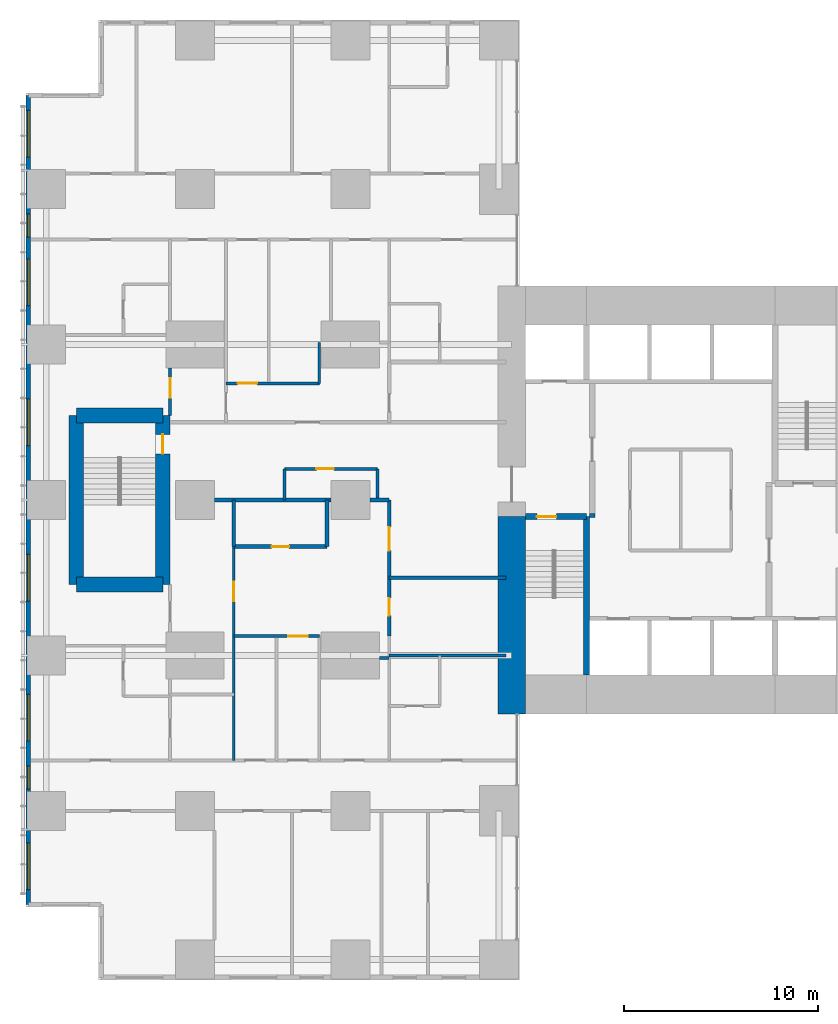
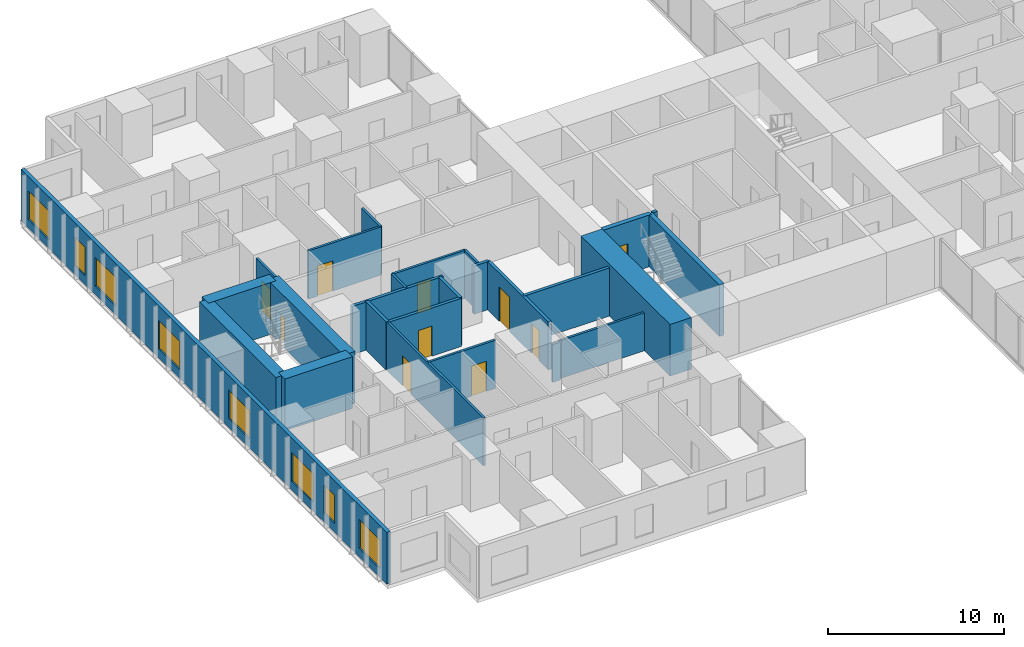
# One storey, part 13 of 20: 26 walls, 10 doors, 8 windows, 18 openings.
"""IFC4 building model written with IfcOpenShell, lengths in metres."""

from ifc_helpers import new_model, si_unit, direction, frame, frame_2d, origin, place, context, subcontext, project, spatial, rectangle, extrude, material, layer, layer_set, type_object, element, fill, save


model = new_model("IFC4")

# Units and contexts
model_context = context("Model", 3, precision=1e-05, world=origin(), true_north=direction((0.0, 1.0)))
body_context = subcontext(model_context, "Body", "Model", "MODEL_VIEW")
ifc_project = project(units=[si_unit("LENGTHUNIT", "METRE"), si_unit("AREAUNIT", "SQUARE_METRE"), si_unit("VOLUMEUNIT", "CUBIC_METRE"), si_unit("PLANEANGLEUNIT", "RADIAN"), si_unit("MASSUNIT", "GRAM", prefix="KILO")], contexts=[model_context])

# Site, building, storey
site_placement = place(None, origin())
site = spatial("IfcSite", under=ifc_project, at=site_placement, CompositionType="ELEMENT")
building_placement = place(site_placement, origin())
building = spatial("IfcBuilding", under=site, at=building_placement, Name="Cleftline Residences", CompositionType="ELEMENT")
storey_placement = place(building_placement, frame((0.0, 0.0, 54.800048828125)))
storey = spatial("IfcBuildingStorey", under=building, at=storey_placement, Name="L13", CompositionType="ELEMENT", Elevation=54.800048828125)

# Walls
ifc_material_1 = material(Name="Concrete B70", Category="concrete")
ifc_layer_1 = layer(ifc_material_1, 1.39990234375)
ifc_layer_set_1 = layer_set([ifc_layer_1], Name="CORE WALL 1400")
wall_type_1 = type_object("IfcWallType", Name="CORE WALL 1400", PredefinedType="SHEAR", material=ifc_layer_set_1)
wall_1_placement = place(storey_placement, frame((24.300048828125, 13.0, 0.0), z_axis=(0.0, 0.0, 1.0), x_axis=(0.0, 1.0, 0.0)))
element("IfcWall", 1, at=wall_1_placement, inside=storey, type_object=wall_type_1, Name="Core wall W0", PredefinedType="SHEAR", context=body_context, shape_type="SweptSolid", body=[
    extrude(rectangle(XDim=10.14990234375, YDim=1.39990234375, at=frame_2d((5.074951171875, 0.0))), origin(), (0.0, 0.0, 1.0), 3.599853515625),
])
ifc_material_2 = material(Name="Concrete B70", Category="concrete")
ifc_layer_2 = layer(ifc_material_2, 0.300048828125)
ifc_layer_set_2 = layer_set([ifc_layer_2], Name="CORE WALL 300")
wall_type_2 = type_object("IfcWallType", Name="CORE WALL 300", PredefinedType="SHEAR", material=ifc_layer_set_2)
wall_2_placement = place(storey_placement, frame((28.14990234375, 15.0, 0.0), z_axis=(0.0, 0.0, 1.0), x_axis=(0.0, 1.0, 0.0)))
element("IfcWall", 2, at=wall_2_placement, inside=storey, type_object=wall_type_2, Name="Core wall SA-E", PredefinedType="SHEAR", context=body_context, shape_type="SweptSolid", body=[
    extrude(rectangle(XDim=8.14990234375, YDim=0.300048828125, at=frame_2d((4.074951171875, 0.0))), origin(), (0.0, 0.0, 1.0), 3.599853515625),
])

# Wall, opening, door
wall_3_placement = place(storey_placement, frame((25.0, 23.14990234375, 0.0), z_axis=(0.0, 0.0, 1.0), x_axis=(1.0, 0.0, 0.0)))
wall_3 = element("IfcWall", 3, at=wall_3_placement, inside=storey, type_object=wall_type_2, Name="Core wall SA-N", PredefinedType="SHEAR", context=body_context, shape_type="SweptSolid", body=[
    extrude(rectangle(XDim=3.14990234375, YDim=0.300048828125, at=frame_2d((1.574951171875, 0.0))), origin(), (0.0, 0.0, 1.0), 3.599853515625),
])
opening_1_placement = place(wall_3_placement, frame((0.60009765625, 0.0, 0.0)))
opening_1 = element("IfcOpeningElement", 4, at=opening_1_placement, cuts=wall_3, Name="Opening D5", PredefinedType="OPENING", context=body_context, shape_type="SweptSolid", body=[
    extrude(rectangle(XDim=1.0, YDim=2.10009765625, at=frame_2d((0.5, 1.050048828125))), frame((0.0, 0.159912109375, 0.0), z_axis=(0.0, -1.0, 0.0), x_axis=(1.0, 0.0, 0.0)), (0.0, 0.0, 1.0), 0.320068359375),
])
ifc_material_3 = material(Name="Steel", Category="steel")
door_type_1 = type_object("IfcDoorType", Name="STAIR DOOR 1000X2100", OperationType="SINGLE_SWING_LEFT", PredefinedType="DOOR", material=ifc_material_3)
door_1_placement = place(opening_1_placement, origin())
door_1 = element("IfcDoor", 5, at=door_1_placement, inside=storey, type_object=door_type_1, Name="Stair A door", OperationType="SINGLE_SWING_RIGHT", OverallHeight=2.10009765625, OverallWidth=1.0, PredefinedType="DOOR", context=body_context, shape_type="SweptSolid", body=[
    extrude(rectangle(XDim=1.0, YDim=2.10009765625, at=frame_2d((0.5, 1.050048828125))), frame((0.0, 0.02490234375, 0.0), z_axis=(0.0, -1.0, 0.0), x_axis=(1.0, 0.0, 0.0)), (0.0, 0.0, 1.0), 0.050048828125),
])
fill(opening_1, door_1)

# Wall, openings, windows
ifc_material_4 = material(Name="Rendered reinforced concrete blockwork", Category="masonry")
ifc_layer_3 = layer(ifc_material_4, 0.25)
ifc_layer_set_3 = layer_set([ifc_layer_3], Name="EXTERNAL WALL 250")
wall_type_3 = type_object("IfcWallType", Name="EXTERNAL WALL 250", PredefinedType="SOLIDWALL", material=ifc_layer_set_3)
wall_4_placement = place(storey_placement, frame((-0.574951171875, 44.824951171875, 0.0), z_axis=(0.0, 0.0, 1.0), x_axis=(0.0, -1.0, 0.0)))
wall_4 = element("IfcWall", 6, at=wall_4_placement, inside=storey, type_object=wall_type_3, Name="External wall", PredefinedType="SOLIDWALL", context=body_context, shape_type="SweptSolid", body=[
    extrude(rectangle(XDim=41.64990234375, YDim=0.25, at=frame_2d((20.824951171875, 0.0))), origin(), (0.0, 0.0, 1.0), 3.599853515625),
])
opening_2_placement = place(wall_4_placement, frame((0.77490234375, 0.0, 0.60009765625)))
opening_2 = element("IfcOpeningElement", 7, at=opening_2_placement, cuts=wall_4, Name="Opening W6", PredefinedType="OPENING", context=body_context, shape_type="SweptSolid", body=[
    extrude(rectangle(XDim=2.39990234375, YDim=2.0, at=frame_2d((1.199951171875, 1.0))), frame((0.0, 0.135009765625, 0.0), z_axis=(0.0, -1.0, 0.0), x_axis=(1.0, 0.0, 0.0)), (0.0, 0.0, 1.0), 0.27001953125),
])
opening_3_placement = place(wall_4_placement, frame((6.10009765625, 0.0, 0.60009765625)))
opening_3 = element("IfcOpeningElement", 8, at=opening_3_placement, cuts=wall_4, Name="Opening W8", PredefinedType="OPENING", context=body_context, shape_type="SweptSolid", body=[
    extrude(rectangle(XDim=1.199951171875, YDim=2.0, at=frame_2d((0.60009765625, 1.0))), frame((0.0, 0.135009765625, 0.0), z_axis=(0.0, -1.0, 0.0), x_axis=(1.0, 0.0, 0.0)), (0.0, 0.0, 1.0), 0.27001953125),
])
opening_4_placement = place(wall_4_placement, frame((8.425048828125, 0.0, 0.60009765625)))
opening_4 = element("IfcOpeningElement", 9, at=opening_4_placement, cuts=wall_4, Name="Opening W6", PredefinedType="OPENING", context=body_context, shape_type="SweptSolid", body=[
    extrude(rectangle(XDim=2.39990234375, YDim=2.0, at=frame_2d((1.199951171875, 1.0))), frame((0.0, 0.135009765625, 0.0), z_axis=(0.0, -1.0, 0.0), x_axis=(1.0, 0.0, 0.0)), (0.0, 0.0, 1.0), 0.27001953125),
])
opening_5_placement = place(wall_4_placement, frame((15.625, 0.0, 0.60009765625)))
opening_5 = element("IfcOpeningElement", 10, at=opening_5_placement, cuts=wall_4, Name="Opening W6", PredefinedType="OPENING", context=body_context, shape_type="SweptSolid", body=[
    extrude(rectangle(XDim=2.39990234375, YDim=2.0, at=frame_2d((1.199951171875, 1.0))), frame((0.0, 0.135009765625, 0.0), z_axis=(0.0, -1.0, 0.0), x_axis=(1.0, 0.0, 0.0)), (0.0, 0.0, 1.0), 0.27001953125),
])
opening_6_placement = place(wall_4_placement, frame((23.625, 0.0, 0.60009765625)))
opening_6 = element("IfcOpeningElement", 11, at=opening_6_placement, cuts=wall_4, Name="Opening W6", PredefinedType="OPENING", context=body_context, shape_type="SweptSolid", body=[
    extrude(rectangle(XDim=2.39990234375, YDim=2.0, at=frame_2d((1.199951171875, 1.0))), frame((0.0, 0.135009765625, 0.0), z_axis=(0.0, -1.0, 0.0), x_axis=(1.0, 0.0, 0.0)), (0.0, 0.0, 1.0), 0.27001953125),
])
opening_7_placement = place(wall_4_placement, frame((30.824951171875, 0.0, 0.60009765625)))
opening_7 = element("IfcOpeningElement", 12, at=opening_7_placement, cuts=wall_4, Name="Opening W6", PredefinedType="OPENING", context=body_context, shape_type="SweptSolid", body=[
    extrude(rectangle(XDim=2.39990234375, YDim=2.0, at=frame_2d((1.199951171875, 1.0))), frame((0.0, 0.135009765625, 0.0), z_axis=(0.0, -1.0, 0.0), x_axis=(1.0, 0.0, 0.0)), (0.0, 0.0, 1.0), 0.27001953125),
])
opening_8_placement = place(wall_4_placement, frame((34.5, 0.0, 0.60009765625)))
opening_8 = element("IfcOpeningElement", 13, at=opening_8_placement, cuts=wall_4, Name="Opening W8", PredefinedType="OPENING", context=body_context, shape_type="SweptSolid", body=[
    extrude(rectangle(XDim=1.199951171875, YDim=2.0, at=frame_2d((0.60009765625, 1.0))), frame((0.0, 0.135009765625, 0.0), z_axis=(0.0, -1.0, 0.0), x_axis=(1.0, 0.0, 0.0)), (0.0, 0.0, 1.0), 0.27001953125),
])
opening_9_placement = place(wall_4_placement, frame((38.47509765625, 0.0, 0.60009765625)))
opening_9 = element("IfcOpeningElement", 14, at=opening_9_placement, cuts=wall_4, Name="Opening W6", PredefinedType="OPENING", context=body_context, shape_type="SweptSolid", body=[
    extrude(rectangle(XDim=2.39990234375, YDim=2.0, at=frame_2d((1.199951171875, 1.0))), frame((0.0, 0.135009765625, 0.0), z_axis=(0.0, -1.0, 0.0), x_axis=(1.0, 0.0, 0.0)), (0.0, 0.0, 1.0), 0.27001953125),
])
ifc_material_5 = material(Name="Aluminium frame, clear double glazing", Category="aluminium")
window_type_1 = type_object("IfcWindowType", Name="WINDOW 1200X2000", PartitioningType="DOUBLE_PANEL_VERTICAL", PredefinedType="WINDOW", material=ifc_material_5)
window_1_placement = place(opening_3_placement, origin())
window_1 = element("IfcWindow", 15, at=window_1_placement, inside=storey, type_object=window_type_1, Name="Window", OverallHeight=2.0, OverallWidth=1.199951171875, PartitioningType="SINGLE_PANEL", PredefinedType="WINDOW", context=body_context, shape_type="SweptSolid", body=[
    extrude(rectangle(XDim=1.199951171875, YDim=2.0, at=frame_2d((0.60009765625, 1.0))), frame((0.0, 0.030029296875, 0.0), z_axis=(0.0, -1.0, 0.0), x_axis=(1.0, 0.0, 0.0)), (0.0, 0.0, 1.0), 0.06005859375),
])
fill(opening_3, window_1)
window_2_placement = place(opening_8_placement, origin())
window_2 = element("IfcWindow", 16, at=window_2_placement, inside=storey, type_object=window_type_1, Name="Window", OverallHeight=2.0, OverallWidth=1.199951171875, PartitioningType="SINGLE_PANEL", PredefinedType="WINDOW", context=body_context, shape_type="SweptSolid", body=[
    extrude(rectangle(XDim=1.199951171875, YDim=2.0, at=frame_2d((0.60009765625, 1.0))), frame((0.0, 0.030029296875, 0.0), z_axis=(0.0, -1.0, 0.0), x_axis=(1.0, 0.0, 0.0)), (0.0, 0.0, 1.0), 0.06005859375),
])
fill(opening_8, window_2)
ifc_material_6 = material(Name="Aluminium frame, clear double glazing", Category="aluminium")
window_type_2 = type_object("IfcWindowType", Name="WINDOW 2400X2000", PartitioningType="DOUBLE_PANEL_VERTICAL", PredefinedType="WINDOW", material=ifc_material_6)
window_3_placement = place(opening_2_placement, origin())
window_3 = element("IfcWindow", 17, at=window_3_placement, inside=storey, type_object=window_type_2, Name="Window", OverallHeight=2.0, OverallWidth=2.39990234375, PartitioningType="SINGLE_PANEL", PredefinedType="WINDOW", context=body_context, shape_type="SweptSolid", body=[
    extrude(rectangle(XDim=2.39990234375, YDim=2.0, at=frame_2d((1.199951171875, 1.0))), frame((0.0, 0.030029296875, 0.0), z_axis=(0.0, -1.0, 0.0), x_axis=(1.0, 0.0, 0.0)), (0.0, 0.0, 1.0), 0.06005859375),
])
fill(opening_2, window_3)
window_4_placement = place(opening_4_placement, origin())
window_4 = element("IfcWindow", 18, at=window_4_placement, inside=storey, type_object=window_type_2, Name="Window", OverallHeight=2.0, OverallWidth=2.39990234375, PartitioningType="SINGLE_PANEL", PredefinedType="WINDOW", context=body_context, shape_type="SweptSolid", body=[
    extrude(rectangle(XDim=2.39990234375, YDim=2.0, at=frame_2d((1.199951171875, 1.0))), frame((0.0, 0.030029296875, 0.0), z_axis=(0.0, -1.0, 0.0), x_axis=(1.0, 0.0, 0.0)), (0.0, 0.0, 1.0), 0.06005859375),
])
fill(opening_4, window_4)
window_5_placement = place(opening_5_placement, origin())
window_5 = element("IfcWindow", 19, at=window_5_placement, inside=storey, type_object=window_type_2, Name="Window", OverallHeight=2.0, OverallWidth=2.39990234375, PartitioningType="SINGLE_PANEL", PredefinedType="WINDOW", context=body_context, shape_type="SweptSolid", body=[
    extrude(rectangle(XDim=2.39990234375, YDim=2.0, at=frame_2d((1.199951171875, 1.0))), frame((0.0, 0.030029296875, 0.0), z_axis=(0.0, -1.0, 0.0), x_axis=(1.0, 0.0, 0.0)), (0.0, 0.0, 1.0), 0.06005859375),
])
fill(opening_5, window_5)
window_6_placement = place(opening_6_placement, origin())
window_6 = element("IfcWindow", 20, at=window_6_placement, inside=storey, type_object=window_type_2, Name="Window", OverallHeight=2.0, OverallWidth=2.39990234375, PartitioningType="SINGLE_PANEL", PredefinedType="WINDOW", context=body_context, shape_type="SweptSolid", body=[
    extrude(rectangle(XDim=2.39990234375, YDim=2.0, at=frame_2d((1.199951171875, 1.0))), frame((0.0, 0.030029296875, 0.0), z_axis=(0.0, -1.0, 0.0), x_axis=(1.0, 0.0, 0.0)), (0.0, 0.0, 1.0), 0.06005859375),
])
fill(opening_6, window_6)
window_7_placement = place(opening_7_placement, origin())
window_7 = element("IfcWindow", 21, at=window_7_placement, inside=storey, type_object=window_type_2, Name="Window", OverallHeight=2.0, OverallWidth=2.39990234375, PartitioningType="SINGLE_PANEL", PredefinedType="WINDOW", context=body_context, shape_type="SweptSolid", body=[
    extrude(rectangle(XDim=2.39990234375, YDim=2.0, at=frame_2d((1.199951171875, 1.0))), frame((0.0, 0.030029296875, 0.0), z_axis=(0.0, -1.0, 0.0), x_axis=(1.0, 0.0, 0.0)), (0.0, 0.0, 1.0), 0.06005859375),
])
fill(opening_7, window_7)
window_8_placement = place(opening_9_placement, origin())
window_8 = element("IfcWindow", 22, at=window_8_placement, inside=storey, type_object=window_type_2, Name="Window", OverallHeight=2.0, OverallWidth=2.39990234375, PartitioningType="SINGLE_PANEL", PredefinedType="WINDOW", context=body_context, shape_type="SweptSolid", body=[
    extrude(rectangle(XDim=2.39990234375, YDim=2.0, at=frame_2d((1.199951171875, 1.0))), frame((0.0, 0.030029296875, 0.0), z_axis=(0.0, -1.0, 0.0), x_axis=(1.0, 0.0, 0.0)), (0.0, 0.0, 1.0), 0.06005859375),
])
fill(opening_9, window_8)

# Wall
ifc_material_7 = material(Name="Concrete blockwork, fire rated", Category="masonry")
ifc_layer_4 = layer(ifc_material_7, 0.199951171875)
ifc_layer_set_4 = layer_set([ifc_layer_4], Name="FIRE WALL 200")
wall_type_4 = type_object("IfcWallType", Name="FIRE WALL 200", PredefinedType="PARTITIONING", material=ifc_layer_set_4)
wall_5_placement = place(storey_placement, frame((18.0, 20.0, 0.0), z_axis=(0.0, 0.0, 1.0), x_axis=(1.0, 0.0, 0.0)))
element("IfcWall", 23, at=wall_5_placement, inside=storey, type_object=wall_type_4, Name="Fire separating wall", PredefinedType="PARTITIONING", context=body_context, shape_type="SweptSolid", body=[
    extrude(rectangle(XDim=6.0, YDim=0.199951171875, at=frame_2d((3.0, 0.0))), origin(), (0.0, 0.0, 1.0), 3.349853515625),
])

# Wall, opening, door
wall_6_placement = place(storey_placement, frame((10.0, 21.60009765625, 0.0), z_axis=(0.0, 0.0, 1.0), x_axis=(1.0, 0.0, 0.0)))
wall_6 = element("IfcWall", 24, at=wall_6_placement, inside=storey, type_object=wall_type_4, Name="Fire separating wall", PredefinedType="PARTITIONING", context=body_context, shape_type="SweptSolid", body=[
    extrude(rectangle(XDim=4.800048828125, YDim=0.199951171875, at=frame_2d((2.39990234375, 0.0))), origin(), (0.0, 0.0, 1.0), 3.349853515625),
])
opening_10_placement = place(wall_6_placement, frame((1.949951171875, 0.0, 0.0)))
opening_10 = element("IfcOpeningElement", 25, at=opening_10_placement, cuts=wall_6, Name="Opening D1F30", PredefinedType="OPENING", context=body_context, shape_type="SweptSolid", body=[
    extrude(rectangle(XDim=0.89990234375, YDim=2.10009765625, at=frame_2d((0.449951171875, 1.050048828125))), frame((0.0, 0.10986328125, 0.0), z_axis=(0.0, -1.0, 0.0), x_axis=(1.0, 0.0, 0.0)), (0.0, 0.0, 1.0), 0.219970703125),
])
ifc_material_8 = material(Name="Timber veneer on solid core", Category="wood")
door_type_2 = type_object("IfcDoorType", Name="DOOR 900X2100 EI 30", OperationType="SINGLE_SWING_LEFT", PredefinedType="DOOR", material=ifc_material_8)
door_2_placement = place(opening_10_placement, origin())
door_2 = element("IfcDoor", 26, at=door_2_placement, inside=storey, type_object=door_type_2, Name="Door to cloakroom wc", OperationType="SINGLE_SWING_LEFT", OverallHeight=2.10009765625, OverallWidth=0.89990234375, PredefinedType="DOOR", context=body_context, shape_type="SweptSolid", body=[
    extrude(rectangle(XDim=0.89990234375, YDim=2.10009765625, at=frame_2d((0.449951171875, 1.050048828125))), frame((0.0, 0.02490234375, 0.0), z_axis=(0.0, -1.0, 0.0), x_axis=(1.0, 0.0, 0.0)), (0.0, 0.0, 1.0), 0.050048828125),
])
fill(opening_10, door_2)

# Walls
wall_7_placement = place(storey_placement, frame((9.0, 24.0, 0.0), z_axis=(0.0, 0.0, 1.0), x_axis=(1.0, 0.0, 0.0)))
element("IfcWall", 27, at=wall_7_placement, inside=storey, type_object=wall_type_4, Name="Fire separating wall", PredefinedType="PARTITIONING", context=body_context, shape_type="SweptSolid", body=[
    extrude(rectangle(XDim=6.0, YDim=0.199951171875, at=frame_2d((3.0, 0.0))), origin(), (0.0, 0.0, 1.0), 3.349853515625),
])
wall_8_placement = place(storey_placement, frame((17.0, 24.0, 0.0), z_axis=(0.0, 0.0, 1.0), x_axis=(1.0, 0.0, 0.0)))
element("IfcWall", 28, at=wall_8_placement, inside=storey, type_object=wall_type_4, Name="Fire separating wall", PredefinedType="PARTITIONING", context=body_context, shape_type="SweptSolid", body=[
    extrude(rectangle(XDim=1.0, YDim=0.199951171875, at=frame_2d((0.5, 0.0))), origin(), (0.0, 0.0, 1.0), 3.349853515625),
])
for number, where, z_axis, x_axis, name in (
    (29, (10.0, 21.60009765625, 0.0), (0.0, 0.0, 1.0), (0.0, 1.0, 0.0), "Fire separating wall"),
    (30, (14.800048828125, 21.60009765625, 0.0), (0.0, 0.0, 1.0), (0.0, 1.0, 0.0), "Fire separating wall"),
):
    element("IfcWall", number, at=place(storey_placement, frame(where, z_axis=z_axis, x_axis=x_axis)), inside=storey, type_object=wall_type_4, Name=name, PredefinedType="PARTITIONING", context=body_context, shape_type="SweptSolid", body=[
        extrude(rectangle(XDim=2.39990234375, YDim=0.199951171875, at=frame_2d((1.199951171875, 0.0))), origin(), (0.0, 0.0, 1.0), 3.349853515625),
    ])

# Wall, openings, doors
wall_9_placement = place(storey_placement, frame((18.0, 17.0, 0.0), z_axis=(0.0, 0.0, 1.0), x_axis=(0.0, 1.0, 0.0)))
wall_9 = element("IfcWall", 31, at=wall_9_placement, inside=storey, type_object=wall_type_4, Name="Fire separating wall", PredefinedType="PARTITIONING", context=body_context, shape_type="SweptSolid", body=[
    extrude(rectangle(XDim=7.0, YDim=0.199951171875, at=frame_2d((3.5, 0.0))), origin(), (0.0, 0.0, 1.0), 3.349853515625),
])
opening_11_placement = place(wall_9_placement, frame((4.39990234375, 0.0, 0.0)))
opening_11 = element("IfcOpeningElement", 32, at=opening_11_placement, cuts=wall_9, Name="Opening D4", PredefinedType="OPENING", context=body_context, shape_type="SweptSolid", body=[
    extrude(rectangle(XDim=1.199951171875, YDim=2.39990234375, at=frame_2d((0.60009765625, 1.199951171875))), frame((0.0, 0.10986328125, 0.0), z_axis=(0.0, -1.0, 0.0), x_axis=(1.0, 0.0, 0.0)), (0.0, 0.0, 1.0), 0.219970703125),
])
opening_12_placement = place(wall_9_placement, frame((1.050048828125, 0.0, 0.0)))
opening_12 = element("IfcOpeningElement", 33, at=opening_12_placement, cuts=wall_9, Name="Opening D1F30", PredefinedType="OPENING", context=body_context, shape_type="SweptSolid", body=[
    extrude(rectangle(XDim=0.89990234375, YDim=2.10009765625, at=frame_2d((0.449951171875, 1.050048828125))), frame((0.0, 0.10986328125, 0.0), z_axis=(0.0, -1.0, 0.0), x_axis=(1.0, 0.0, 0.0)), (0.0, 0.0, 1.0), 0.219970703125),
])
ifc_material_9 = material(Name="Timber veneer on solid core", Category="wood")
door_type_3 = type_object("IfcDoorType", Name="APARTMENT ENTRANCE DOOR 1200X2400", OperationType="SINGLE_SWING_RIGHT", PredefinedType="DOOR", material=ifc_material_9)
door_3_placement = place(opening_11_placement, origin())
door_3 = element("IfcDoor", 34, at=door_3_placement, inside=storey, type_object=door_type_3, Name="Door to residence entrance foyer", OperationType="SINGLE_SWING_LEFT", OverallHeight=2.39990234375, OverallWidth=1.199951171875, PredefinedType="DOOR", context=body_context, shape_type="SweptSolid", body=[
    extrude(rectangle(XDim=1.199951171875, YDim=2.39990234375, at=frame_2d((0.60009765625, 1.199951171875))), frame((0.0, 0.02490234375, 0.0), z_axis=(0.0, -1.0, 0.0), x_axis=(1.0, 0.0, 0.0)), (0.0, 0.0, 1.0), 0.050048828125),
])
fill(opening_11, door_3)
door_4_placement = place(opening_12_placement, origin())
door_4 = element("IfcDoor", 35, at=door_4_placement, inside=storey, type_object=door_type_2, Name="Door to utility room", OperationType="SINGLE_SWING_RIGHT", OverallHeight=2.10009765625, OverallWidth=0.89990234375, PredefinedType="DOOR", context=body_context, shape_type="SweptSolid", body=[
    extrude(rectangle(XDim=0.89990234375, YDim=2.10009765625, at=frame_2d((0.449951171875, 1.050048828125))), frame((0.0, 0.02490234375, 0.0), z_axis=(0.0, -1.0, 0.0), x_axis=(1.0, 0.0, 0.0)), (0.0, 0.0, 1.0), 0.050048828125),
])
fill(opening_12, door_4)

# Walls
wall_10_placement = place(storey_placement, frame((28.300048828125, 23.199951171875, 0.0), z_axis=(0.0, 0.0, 1.0), x_axis=(1.0, 0.0, 0.0)))
element("IfcWall", 36, at=wall_10_placement, inside=storey, type_object=wall_type_4, Name="Fire separating wall", PredefinedType="PARTITIONING", context=body_context, shape_type="SweptSolid", body=[
    extrude(rectangle(XDim=0.300048828125, YDim=0.199951171875, at=frame_2d((0.14990234375, 0.0))), origin(), (0.0, 0.0, 1.0), 3.599853515625),
])
ifc_material_10 = material(Name="Gypsum board on steel studs", Category="steel")
ifc_layer_5 = layer(ifc_material_10, 0.14990234375)
ifc_layer_set_5 = layer_set([ifc_layer_5], Name="PARTITION 150")
wall_type_5 = type_object("IfcWallType", Name="PARTITION 150", PredefinedType="PARTITIONING", material=ifc_layer_set_5)
wall_11_placement = place(storey_placement, frame((17.5, 15.875, 0.0), z_axis=(0.0, 0.0, 1.0), x_axis=(1.0, 0.0, 0.0)))
element("IfcWall", 37, at=wall_11_placement, inside=storey, type_object=wall_type_5, Name="Partition", PredefinedType="PARTITIONING", context=body_context, shape_type="SweptSolid", body=[
    extrude(rectangle(XDim=0.5, YDim=0.14990234375, at=frame_2d((0.25, 0.0))), origin(), (0.0, 0.0, 1.0), 2.634033203125),
])
wall_12_placement = place(storey_placement, frame((18.0, 16.0, 0.0), z_axis=(0.0, 0.0, 1.0), x_axis=(1.0, 0.0, 0.0)))
element("IfcWall", 38, at=wall_12_placement, inside=storey, type_object=wall_type_5, Name="Partition", PredefinedType="PARTITIONING", context=body_context, shape_type="SweptSolid", body=[
    extrude(rectangle(XDim=6.0, YDim=0.14990234375, at=frame_2d((3.0, 0.0))), origin(), (0.0, 0.0, 1.0), 2.634033203125),
])

# Wall, opening, door
wall_13_placement = place(storey_placement, frame((10.0, 17.0, 0.0), z_axis=(0.0, 0.0, 1.0), x_axis=(1.0, 0.0, 0.0)))
wall_13 = element("IfcWall", 39, at=wall_13_placement, inside=storey, type_object=wall_type_5, Name="Partition", PredefinedType="PARTITIONING", context=body_context, shape_type="SweptSolid", body=[
    extrude(rectangle(XDim=4.39990234375, YDim=0.14990234375, at=frame_2d((2.199951171875, 0.0))), origin(), (0.0, 0.0, 1.0), 3.349853515625),
])
opening_13_placement = place(wall_13_placement, frame((2.800048828125, 0.0, 0.0)))
opening_13 = element("IfcOpeningElement", 40, at=opening_13_placement, cuts=wall_13, Name="Opening D2", PredefinedType="OPENING", context=body_context, shape_type="SweptSolid", body=[
    extrude(rectangle(XDim=1.0, YDim=2.10009765625, at=frame_2d((0.5, 1.050048828125))), frame((0.0, 0.0849609375, 0.0), z_axis=(0.0, -1.0, 0.0), x_axis=(1.0, 0.0, 0.0)), (0.0, 0.0, 1.0), 0.169921875),
])
ifc_material_11 = material(Name="Timber veneer on solid core", Category="wood")
door_type_4 = type_object("IfcDoorType", Name="DOOR 1000X2100", OperationType="SINGLE_SWING_LEFT", PredefinedType="DOOR", material=ifc_material_11)
door_5_placement = place(opening_13_placement, origin())
door_5 = element("IfcDoor", 41, at=door_5_placement, inside=storey, type_object=door_type_4, Name="Door to residence passage", OperationType="SINGLE_SWING_LEFT", OverallHeight=2.10009765625, OverallWidth=1.0, PredefinedType="DOOR", context=body_context, shape_type="SweptSolid", body=[
    extrude(rectangle(XDim=1.0, YDim=2.10009765625, at=frame_2d((0.5, 1.050048828125))), frame((0.0, 0.02490234375, 0.0), z_axis=(0.0, -1.0, 0.0), x_axis=(1.0, 0.0, 0.0)), (0.0, 0.0, 1.0), 0.050048828125),
])
fill(opening_13, door_5)

wall_14_placement = place(storey_placement, frame((12.60009765625, 25.60009765625, 0.0), z_axis=(0.0, 0.0, 1.0), x_axis=(1.0, 0.0, 0.0)))
wall_14 = element("IfcWall", 42, at=wall_14_placement, inside=storey, type_object=wall_type_5, Name="Partition", PredefinedType="PARTITIONING", context=body_context, shape_type="SweptSolid", body=[
    extrude(rectangle(XDim=4.7998046875, YDim=0.14990234375, at=frame_2d((2.39990234375, 0.0))), origin(), (0.0, 0.0, 1.0), 3.349853515625),
])
opening_14_placement = place(wall_14_placement, frame((1.64990234375, 0.0, 0.0)))
opening_14 = element("IfcOpeningElement", 43, at=opening_14_placement, cuts=wall_14, Name="Opening D1", PredefinedType="OPENING", context=body_context, shape_type="SweptSolid", body=[
    extrude(rectangle(XDim=0.89990234375, YDim=2.10009765625, at=frame_2d((0.449951171875, 1.050048828125))), frame((0.0, 0.0849609375, 0.0), z_axis=(0.0, -1.0, 0.0), x_axis=(1.0, 0.0, 0.0)), (0.0, 0.0, 1.0), 0.169921875),
])
ifc_material_12 = material(Name="Timber veneer on solid core", Category="wood")
door_type_5 = type_object("IfcDoorType", Name="DOOR 900X2100", OperationType="SINGLE_SWING_LEFT", PredefinedType="DOOR", material=ifc_material_12)
door_6_placement = place(opening_14_placement, origin())
door_6 = element("IfcDoor", 44, at=door_6_placement, inside=storey, type_object=door_type_5, Name="Door to bulky waste room", OperationType="SINGLE_SWING_RIGHT", OverallHeight=2.10009765625, OverallWidth=0.89990234375, PredefinedType="DOOR", context=body_context, shape_type="SweptSolid", body=[
    extrude(rectangle(XDim=0.89990234375, YDim=2.10009765625, at=frame_2d((0.449951171875, 1.050048828125))), frame((0.0, 0.02490234375, 0.0), z_axis=(0.0, -1.0, 0.0), x_axis=(1.0, 0.0, 0.0)), (0.0, 0.0, 1.0), 0.050048828125),
])
fill(opening_14, door_6)

wall_15_placement = place(storey_placement, frame((9.60009765625, 30.0, 0.0), z_axis=(0.0, 0.0, 1.0), x_axis=(1.0, 0.0, 0.0)))
wall_15 = element("IfcWall", 45, at=wall_15_placement, inside=storey, type_object=wall_type_5, Name="Partition", PredefinedType="PARTITIONING", context=body_context, shape_type="SweptSolid", body=[
    extrude(rectangle(XDim=4.7998046875, YDim=0.14990234375, at=frame_2d((2.39990234375, 0.0))), origin(), (0.0, 0.0, 1.0), 3.349853515625),
])
opening_15_placement = place(wall_15_placement, frame((0.60009765625, 0.0, 0.0)))
opening_15 = element("IfcOpeningElement", 46, at=opening_15_placement, cuts=wall_15, Name="Opening D2", PredefinedType="OPENING", context=body_context, shape_type="SweptSolid", body=[
    extrude(rectangle(XDim=1.0, YDim=2.10009765625, at=frame_2d((0.5, 1.050048828125))), frame((0.0, 0.0849609375, 0.0), z_axis=(0.0, -1.0, 0.0), x_axis=(1.0, 0.0, 0.0)), (0.0, 0.0, 1.0), 0.169921875),
])
door_7_placement = place(opening_15_placement, origin())
door_7 = element("IfcDoor", 47, at=door_7_placement, inside=storey, type_object=door_type_4, Name="Door to residence passage", OperationType="SINGLE_SWING_RIGHT", OverallHeight=2.10009765625, OverallWidth=1.0, PredefinedType="DOOR", context=body_context, shape_type="SweptSolid", body=[
    extrude(rectangle(XDim=1.0, YDim=2.10009765625, at=frame_2d((0.5, 1.050048828125))), frame((0.0, 0.02490234375, 0.0), z_axis=(0.0, -1.0, 0.0), x_axis=(1.0, 0.0, 0.0)), (0.0, 0.0, 1.0), 0.050048828125),
])
fill(opening_15, door_7)

wall_16_placement = place(storey_placement, frame((6.72509765625, 28.35009765625, 0.0), z_axis=(0.0, 0.0, 1.0), x_axis=(0.0, 1.0, 0.0)))
wall_16 = element("IfcWall", 48, at=wall_16_placement, inside=storey, type_object=wall_type_5, Name="Partition", PredefinedType="PARTITIONING", context=body_context, shape_type="SweptSolid", body=[
    extrude(rectangle(XDim=2.449951171875, YDim=0.14990234375, at=frame_2d((1.22509765625, 0.0))), origin(), (0.0, 0.0, 1.0), 3.349853515625),
])
opening_16_placement = place(wall_16_placement, frame((0.91259765625, 0.0, 0.0)))
opening_16 = element("IfcOpeningElement", 49, at=opening_16_placement, cuts=wall_16, Name="Opening D2", PredefinedType="OPENING", context=body_context, shape_type="SweptSolid", body=[
    extrude(rectangle(XDim=1.0, YDim=2.10009765625, at=frame_2d((0.5, 1.050048828125))), frame((0.0, 0.0849609375, 0.0), z_axis=(0.0, -1.0, 0.0), x_axis=(1.0, 0.0, 0.0)), (0.0, 0.0, 1.0), 0.169921875),
])
door_8_placement = place(opening_16_placement, origin())
door_8 = element("IfcDoor", 50, at=door_8_placement, inside=storey, type_object=door_type_4, Name="Door to staff bedroom", OperationType="SINGLE_SWING_LEFT", OverallHeight=2.10009765625, OverallWidth=1.0, PredefinedType="DOOR", context=body_context, shape_type="SweptSolid", body=[
    extrude(rectangle(XDim=1.0, YDim=2.10009765625, at=frame_2d((0.5, 1.050048828125))), frame((0.0, 0.02490234375, 0.0), z_axis=(0.0, -1.0, 0.0), x_axis=(1.0, 0.0, 0.0)), (0.0, 0.0, 1.0), 0.050048828125),
])
fill(opening_16, door_8)

wall_17_placement = place(storey_placement, frame((10.0, 10.60009765625, 0.0), z_axis=(0.0, 0.0, 1.0), x_axis=(0.0, 1.0, 0.0)))
wall_17 = element("IfcWall", 51, at=wall_17_placement, inside=storey, type_object=wall_type_5, Name="Partition", PredefinedType="PARTITIONING", context=body_context, shape_type="SweptSolid", body=[
    extrude(rectangle(XDim=11.0, YDim=0.14990234375, at=frame_2d((5.5, 0.0))), origin(), (0.0, 0.0, 1.0), 3.349853515625),
])
opening_17_placement = place(wall_17_placement, frame((8.199951171875, 0.0, 0.0)))
opening_17 = element("IfcOpeningElement", 52, at=opening_17_placement, cuts=wall_17, Name="Opening D2F30", PredefinedType="OPENING", context=body_context, shape_type="SweptSolid", body=[
    extrude(rectangle(XDim=1.0, YDim=2.10009765625, at=frame_2d((0.5, 1.050048828125))), frame((0.0, 0.0849609375, 0.0), z_axis=(0.0, -1.0, 0.0), x_axis=(1.0, 0.0, 0.0)), (0.0, 0.0, 1.0), 0.169921875),
])
ifc_material_13 = material(Name="Timber veneer on solid core", Category="wood")
door_type_6 = type_object("IfcDoorType", Name="DOOR 1000X2100 EI 30", OperationType="SINGLE_SWING_LEFT", PredefinedType="DOOR", material=ifc_material_13)
door_9_placement = place(opening_17_placement, origin())
door_9 = element("IfcDoor", 53, at=door_9_placement, inside=storey, type_object=door_type_6, Name="Door to residence lobby", OperationType="SINGLE_SWING_LEFT", OverallHeight=2.10009765625, OverallWidth=1.0, PredefinedType="DOOR", context=body_context, shape_type="SweptSolid", body=[
    extrude(rectangle(XDim=1.0, YDim=2.10009765625, at=frame_2d((0.5, 1.050048828125))), frame((0.0, 0.02490234375, 0.0), z_axis=(0.0, -1.0, 0.0), x_axis=(1.0, 0.0, 0.0)), (0.0, 0.0, 1.0), 0.050048828125),
])
fill(opening_17, door_9)

# Walls
wall_18_placement = place(storey_placement, frame((12.60009765625, 24.0, 0.0), z_axis=(0.0, 0.0, 1.0), x_axis=(0.0, 1.0, 0.0)))
element("IfcWall", 54, at=wall_18_placement, inside=storey, type_object=wall_type_5, Name="Partition", PredefinedType="PARTITIONING", context=body_context, shape_type="SweptSolid", body=[
    extrude(rectangle(XDim=1.60009765625, YDim=0.14990234375, at=frame_2d((0.800048828125, 0.0))), origin(), (0.0, 0.0, 1.0), 3.349853515625),
])
wall_19_placement = place(storey_placement, frame((14.39990234375, 30.0, 0.0), z_axis=(0.0, 0.0, 1.0), x_axis=(0.0, 1.0, 0.0)))
element("IfcWall", 55, at=wall_19_placement, inside=storey, type_object=wall_type_5, Name="Partition", PredefinedType="PARTITIONING", context=body_context, shape_type="SweptSolid", body=[
    extrude(rectangle(XDim=2.10009765625, YDim=0.14990234375, at=frame_2d((1.050048828125, 0.0))), origin(), (0.0, 0.0, 1.0), 3.349853515625),
])
wall_20_placement = place(storey_placement, frame((17.39990234375, 24.0, 0.0), z_axis=(0.0, 0.0, 1.0), x_axis=(0.0, 1.0, 0.0)))
element("IfcWall", 56, at=wall_20_placement, inside=storey, type_object=wall_type_5, Name="Partition", PredefinedType="PARTITIONING", context=body_context, shape_type="SweptSolid", body=[
    extrude(rectangle(XDim=1.60009765625, YDim=0.14990234375, at=frame_2d((0.800048828125, 0.0))), origin(), (0.0, 0.0, 1.0), 3.349853515625),
])
ifc_material_14 = material(Name="Concrete B70", Category="concrete")
ifc_layer_6 = layer(ifc_material_14, 0.75)
ifc_layer_set_6 = layer_set([ifc_layer_6], Name="SHEAR WALL 750")
wall_type_6 = type_object("IfcWallType", Name="SHEAR WALL 750", PredefinedType="SHEAR", material=ifc_layer_set_6)
wall_21_placement = place(storey_placement, frame((1.89990234375, 19.64990234375, 0.0), z_axis=(0.0, 0.0, 1.0), x_axis=(1.0, 0.0, 0.0)))
element("IfcWall", 57, at=wall_21_placement, inside=storey, type_object=wall_type_6, Name="Wing shear wall", PredefinedType="SHEAR", context=body_context, shape_type="SweptSolid", body=[
    extrude(rectangle(XDim=4.4501953125, YDim=0.75, at=frame_2d((2.22509765625, 0.0))), origin(), (0.0, 0.0, 1.0), 3.599853515625),
])

# Wall, opening, door
wall_22_placement = place(storey_placement, frame((6.35009765625, 19.64990234375, 0.0), z_axis=(0.0, 0.0, 1.0), x_axis=(0.0, 1.0, 0.0)))
wall_22 = element("IfcWall", 58, at=wall_22_placement, inside=storey, type_object=wall_type_6, Name="Wing shear wall", PredefinedType="SHEAR", context=body_context, shape_type="SweptSolid", body=[
    extrude(rectangle(XDim=8.7001953125, YDim=0.75, at=frame_2d((4.35009765625, 0.0))), origin(), (0.0, 0.0, 1.0), 3.599853515625),
])
opening_18_placement = place(wall_22_placement, frame((6.72509765625, 0.0, 0.0)))
opening_18 = element("IfcOpeningElement", 59, at=opening_18_placement, cuts=wall_22, Name="Opening D5", PredefinedType="OPENING", context=body_context, shape_type="SweptSolid", body=[
    extrude(rectangle(XDim=1.0, YDim=2.10009765625, at=frame_2d((0.5, 1.050048828125))), frame((0.0, 0.385009765625, 0.0), z_axis=(0.0, -1.0, 0.0), x_axis=(1.0, 0.0, 0.0)), (0.0, 0.0, 1.0), 0.77001953125),
])
door_10_placement = place(opening_18_placement, origin())
door_10 = element("IfcDoor", 60, at=door_10_placement, inside=storey, type_object=door_type_1, Name="Stair W door", OperationType="SINGLE_SWING_LEFT", OverallHeight=2.10009765625, OverallWidth=1.0, PredefinedType="DOOR", context=body_context, shape_type="SweptSolid", body=[
    extrude(rectangle(XDim=1.0, YDim=2.10009765625, at=frame_2d((0.5, 1.050048828125))), frame((0.0, 0.02490234375, 0.0), z_axis=(0.0, -1.0, 0.0), x_axis=(1.0, 0.0, 0.0)), (0.0, 0.0, 1.0), 0.050048828125),
])
fill(opening_18, door_10)

# Walls
wall_23_placement = place(storey_placement, frame((6.35009765625, 28.35009765625, 0.0), z_axis=(0.0, 0.0, 1.0), x_axis=(-1.0, 0.0, 0.0)))
element("IfcWall", 61, at=wall_23_placement, inside=storey, type_object=wall_type_6, Name="Wing shear wall", PredefinedType="SHEAR", context=body_context, shape_type="SweptSolid", body=[
    extrude(rectangle(XDim=4.4501953125, YDim=0.75, at=frame_2d((2.22509765625, 0.0))), origin(), (0.0, 0.0, 1.0), 3.599853515625),
])
wall_24_placement = place(storey_placement, frame((1.89990234375, 28.35009765625, 0.0), z_axis=(0.0, 0.0, 1.0), x_axis=(0.0, -1.0, 0.0)))
element("IfcWall", 62, at=wall_24_placement, inside=storey, type_object=wall_type_6, Name="Wing shear wall", PredefinedType="SHEAR", context=body_context, shape_type="SweptSolid", body=[
    extrude(rectangle(XDim=8.7001953125, YDim=0.75, at=frame_2d((4.35009765625, 0.0))), origin(), (0.0, 0.0, 1.0), 3.599853515625),
])

save(model, "model.ifc")
